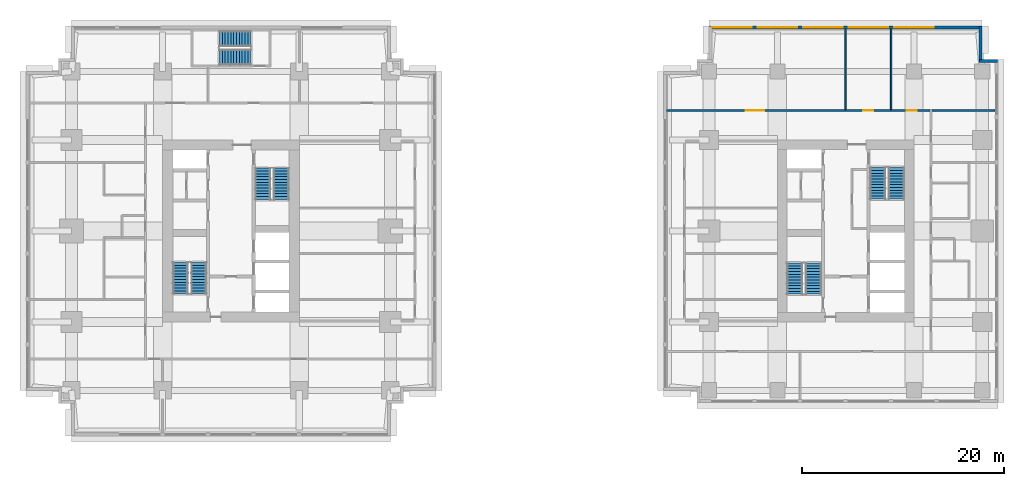
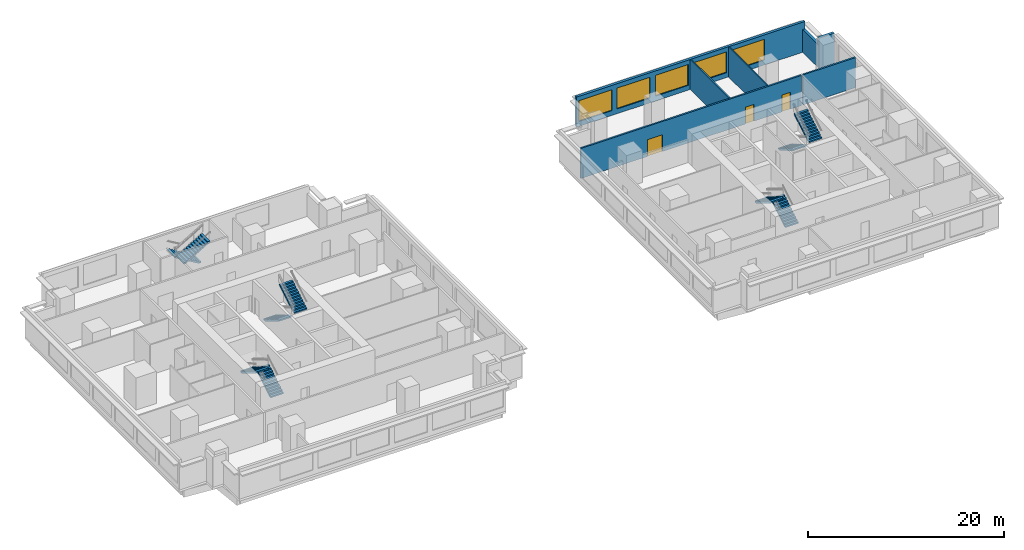
# One storey, part 8 of 10: 10 stair flights, 7 walls, 5 windows, 3 doors, 8 openings, 5 elements without a shape of their own.
"""IFC4 building model written with IfcOpenShell, lengths in metres."""

from ifc_helpers import new_model, si_unit, direction, frame, frame_2d, origin, place, context, subcontext, project, spatial, polyline, rectangle, outline, extrude, material, layer, layer_set, type_object, element, fill, aggregate, save


model = new_model("IFC4")

# Units and contexts
model_context = context("Model", 3, precision=1e-05, world=origin(), true_north=direction((0.0, 1.0)))
body_context = subcontext(model_context, "Body", "Model", "MODEL_VIEW")
ifc_project = project(units=[si_unit("LENGTHUNIT", "METRE"), si_unit("AREAUNIT", "SQUARE_METRE"), si_unit("VOLUMEUNIT", "CUBIC_METRE"), si_unit("PLANEANGLEUNIT", "RADIAN"), si_unit("MASSUNIT", "GRAM", prefix="KILO")], contexts=[model_context])

# Site, building, storey
site_placement = place(None, origin())
site = spatial("IfcSite", under=ifc_project, at=site_placement, CompositionType="ELEMENT")
building_placement = place(site_placement, origin())
building = spatial("IfcBuilding", under=site, at=building_placement, Name="Namib Vertical Campus", CompositionType="ELEMENT")
storey_placement = place(building_placement, frame((0.0, 0.0, 157.0)))
storey = spatial("IfcBuildingStorey", under=building, at=storey_placement, Name="L37", CompositionType="ELEMENT", Elevation=157.0)

# Wall, openings, doors
ifc_material_1 = material(Name="Concrete masonry", Category="masonry")
ifc_layer_1 = layer(ifc_material_1, 0.199951171875)
ifc_layer_set_1 = layer_set([ifc_layer_1], Name="Corridor wall 200")
wall_type_1 = type_object("IfcWallType", Name="Corridor wall 200", PredefinedType="SOLIDWALL", material=ifc_layer_set_1)
wall_1_placement = place(storey_placement, frame((89.35009765625, 32.14990234375, 0.0), z_axis=(0.0, 0.0, 1.0), x_axis=(-1.0, 0.0, 0.0)))
wall_1 = element("IfcWall", 1, at=wall_1_placement, inside=storey, type_object=wall_type_1, Name="Corridor wall B L37 CN", PredefinedType="SOLIDWALL", context=body_context, shape_type="SweptSolid", body=[
    extrude(rectangle(XDim=26.050048828125, YDim=0.199951171875, at=frame_2d((13.02490234375, 0.0))), origin(), (0.0, 0.0, 1.0), 3.75),
])
opening_1_placement = place(wall_1_placement, frame((16.39990234375, 0.0, 0.0)))
opening_1 = element("IfcOpeningElement", 2, at=opening_1_placement, cuts=wall_1, Name="Opening CD2", PredefinedType="OPENING", context=body_context, shape_type="SweptSolid", body=[
    extrude(rectangle(XDim=1.800048828125, YDim=2.10009765625, at=frame_2d((0.89990234375, 1.050048828125))), frame((0.0, 0.10986328125, 0.0), z_axis=(0.0, -1.0, 0.0), x_axis=(1.0, 0.0, 0.0)), (0.0, 0.0, 1.0), 0.219970703125),
])
opening_2_placement = place(wall_1_placement, frame((5.60009765625, 0.0, 0.0)))
opening_2 = element("IfcOpeningElement", 3, at=opening_2_placement, cuts=wall_1, Name="Opening CD1", PredefinedType="OPENING", context=body_context, shape_type="SweptSolid", body=[
    extrude(rectangle(XDim=1.0, YDim=2.10009765625, at=frame_2d((0.5, 1.050048828125))), frame((0.0, 0.10986328125, 0.0), z_axis=(0.0, -1.0, 0.0), x_axis=(1.0, 0.0, 0.0)), (0.0, 0.0, 1.0), 0.219970703125),
])
opening_3_placement = place(wall_1_placement, frame((1.324951171875, 0.0, 0.0)))
opening_3 = element("IfcOpeningElement", 4, at=opening_3_placement, cuts=wall_1, Name="Opening CD1", PredefinedType="OPENING", context=body_context, shape_type="SweptSolid", body=[
    extrude(rectangle(XDim=1.0, YDim=2.10009765625, at=frame_2d((0.5, 1.050048828125))), frame((0.0, 0.10986328125, 0.0), z_axis=(0.0, -1.0, 0.0), x_axis=(1.0, 0.0, 0.0)), (0.0, 0.0, 1.0), 0.219970703125),
])
ifc_material_2 = material(Name="Timber fire door leaf", Category="wood")
door_type_1 = type_object("IfcDoorType", Name="Corridor door 1000x2100 20 min", OperationType="SINGLE_SWING_LEFT", PredefinedType="DOOR", material=ifc_material_2)
door_1_placement = place(opening_2_placement, frame((1.0, 0.0, 0.0), z_axis=(0.0, 0.0, 1.0), x_axis=(-1.0, 0.0, 0.0)))
door_1 = element("IfcDoor", 5, at=door_1_placement, inside=storey, type_object=door_type_1, Name="Door CD1 B37-11", OperationType="SINGLE_SWING_RIGHT", OverallHeight=2.10009765625, OverallWidth=1.0, PredefinedType="DOOR", context=body_context, shape_type="SweptSolid", body=[
    extrude(rectangle(XDim=1.0, YDim=2.10009765625, at=frame_2d((0.5, 1.050048828125))), frame((0.0, 0.02490234375, 0.0), z_axis=(0.0, -1.0, 0.0), x_axis=(1.0, 0.0, 0.0)), (0.0, 0.0, 1.0), 0.050048828125),
])
fill(opening_2, door_1)
door_2_placement = place(opening_3_placement, frame((1.0, 0.0, 0.0), z_axis=(0.0, 0.0, 1.0), x_axis=(-1.0, 0.0, 0.0)))
door_2 = element("IfcDoor", 6, at=door_2_placement, inside=storey, type_object=door_type_1, Name="Door CD1 B37-12", OperationType="SINGLE_SWING_LEFT", OverallHeight=2.10009765625, OverallWidth=1.0, PredefinedType="DOOR", context=body_context, shape_type="SweptSolid", body=[
    extrude(rectangle(XDim=1.0, YDim=2.10009765625, at=frame_2d((0.5, 1.050048828125))), frame((0.0, 0.02490234375, 0.0), z_axis=(0.0, -1.0, 0.0), x_axis=(1.0, 0.0, 0.0)), (0.0, 0.0, 1.0), 0.050048828125),
])
fill(opening_3, door_2)
ifc_material_3 = material(Name="Timber fire door leaf", Category="wood")
door_type_2 = type_object("IfcDoorType", Name="Corridor door double 1800x2100 20 min", OperationType="DOUBLE_DOOR_SINGLE_SWING", PredefinedType="DOOR", material=ifc_material_3)
door_3_placement = place(opening_1_placement, frame((1.800048828125, 0.0, 0.0), z_axis=(0.0, 0.0, 1.0), x_axis=(-1.0, 0.0, 0.0)))
door_3 = element("IfcDoor", 7, at=door_3_placement, inside=storey, type_object=door_type_2, Name="Door CD2 B37-10", OperationType="DOUBLE_DOOR_SINGLE_SWING", OverallHeight=2.10009765625, OverallWidth=1.800048828125, PredefinedType="DOOR", context=body_context, shape_type="SweptSolid", body=[
    extrude(rectangle(XDim=1.800048828125, YDim=2.10009765625, at=frame_2d((0.89990234375, 1.050048828125))), frame((0.0, 0.02490234375, 0.0), z_axis=(0.0, -1.0, 0.0), x_axis=(1.0, 0.0, 0.0)), (0.0, 0.0, 1.0), 0.050048828125),
])
fill(opening_1, door_3)

# Walls
wall_2_placement = place(storey_placement, frame((89.550048828125, 32.14990234375, 0.0), z_axis=(0.0, 0.0, 1.0), x_axis=(1.0, 0.0, 0.0)))
element("IfcWall", 8, at=wall_2_placement, inside=storey, type_object=wall_type_1, Name="Partition B L37 BNE", PredefinedType="SOLIDWALL", context=body_context, shape_type="SweptSolid", body=[
    extrude(rectangle(XDim=6.199951171875, YDim=0.199951171875, at=frame_2d((3.10009765625, 0.0))), origin(), (0.0, 0.0, 1.0), 3.75),
])
ifc_material_4 = material(Name="Concrete C40/50", Category="concrete")
ifc_layer_2 = layer(ifc_material_4, 0.300048828125)
ifc_layer_set_2 = layer_set([ifc_layer_2], Name="Concrete C40/50")
wall_type_2 = type_object("IfcWallType", Name="External wall 300 board-marked concrete", PredefinedType="STANDARD", material=ifc_layer_set_2)
wall_3_placement = place(storey_placement, frame((96.030029296875, 37.050048828125, 0.0), z_axis=(0.0, 0.0, 1.0), x_axis=(-1.0, 0.0, 0.0)))
element("IfcWall", 9, at=wall_3_placement, inside=storey, type_object=wall_type_2, Name="External wall L37 F05", PredefinedType="STANDARD", context=body_context, shape_type="SweptSolid", body=[
    extrude(rectangle(XDim=1.81005859375, YDim=0.300048828125, at=frame_2d((0.905029296875, 0.0))), origin(), (0.0, 0.0, 1.0), 3.75),
])
wall_4_placement = place(storey_placement, frame((94.35009765625, 36.919921875, 0.0), z_axis=(0.0, 0.0, 1.0), x_axis=(0.0, 1.0, 0.0)))
element("IfcWall", 10, at=wall_4_placement, inside=storey, type_object=wall_type_2, Name="External wall L37 F06", PredefinedType="STANDARD", context=body_context, shape_type="SweptSolid", body=[
    extrude(rectangle(XDim=3.56005859375, YDim=0.300048828125, at=frame_2d((1.780029296875, 0.0))), origin(), (0.0, 0.0, 1.0), 2.85009765625),
])

# Wall, openings, windows
wall_5_placement = place(storey_placement, frame((94.47998046875, 40.35009765625, 0.0), z_axis=(0.0, 0.0, 1.0), x_axis=(-1.0, 0.0, 0.0)))
wall_5 = element("IfcWall", 11, at=wall_5_placement, inside=storey, type_object=wall_type_2, Name="External wall L37 F07", PredefinedType="STANDARD", context=body_context, shape_type="SweptSolid", body=[
    extrude(rectangle(XDim=26.9599609375, YDim=0.300048828125, at=frame_2d((13.47998046875, 0.0))), origin(), (0.0, 0.0, 1.0), 3.75),
])
opening_4_placement = place(wall_5_placement, frame((22.780029296875, 0.0, 0.60009765625)))
opening_4 = element("IfcOpeningElement", 12, at=opening_4_placement, cuts=wall_5, Name="Opening W2", PredefinedType="OPENING", context=body_context, shape_type="SweptSolid", body=[
    extrude(rectangle(XDim=3.89990234375, YDim=2.60009765625, at=frame_2d((1.949951171875, 1.300048828125))), frame((0.0, 0.159912109375, 0.0), z_axis=(0.0, -1.0, 0.0), x_axis=(1.0, 0.0, 0.0)), (0.0, 0.0, 1.0), 0.320068359375),
])
opening_5_placement = place(wall_5_placement, frame((18.280029296875, 0.0, 0.60009765625)))
opening_5 = element("IfcOpeningElement", 13, at=opening_5_placement, cuts=wall_5, Name="Opening W2", PredefinedType="OPENING", context=body_context, shape_type="SweptSolid", body=[
    extrude(rectangle(XDim=3.89990234375, YDim=2.60009765625, at=frame_2d((1.949951171875, 1.300048828125))), frame((0.0, 0.159912109375, 0.0), z_axis=(0.0, -1.0, 0.0), x_axis=(1.0, 0.0, 0.0)), (0.0, 0.0, 1.0), 0.320068359375),
])
opening_6_placement = place(wall_5_placement, frame((13.780029296875, 0.0, 0.60009765625)))
opening_6 = element("IfcOpeningElement", 14, at=opening_6_placement, cuts=wall_5, Name="Opening W2", PredefinedType="OPENING", context=body_context, shape_type="SweptSolid", body=[
    extrude(rectangle(XDim=3.89990234375, YDim=2.60009765625, at=frame_2d((1.949951171875, 1.300048828125))), frame((0.0, 0.159912109375, 0.0), z_axis=(0.0, -1.0, 0.0), x_axis=(1.0, 0.0, 0.0)), (0.0, 0.0, 1.0), 0.320068359375),
])
opening_7_placement = place(wall_5_placement, frame((9.280029296875, 0.0, 0.60009765625)))
opening_7 = element("IfcOpeningElement", 15, at=opening_7_placement, cuts=wall_5, Name="Opening W2", PredefinedType="OPENING", context=body_context, shape_type="SweptSolid", body=[
    extrude(rectangle(XDim=3.89990234375, YDim=2.60009765625, at=frame_2d((1.949951171875, 1.300048828125))), frame((0.0, 0.159912109375, 0.0), z_axis=(0.0, -1.0, 0.0), x_axis=(1.0, 0.0, 0.0)), (0.0, 0.0, 1.0), 0.320068359375),
])
opening_8_placement = place(wall_5_placement, frame((4.780029296875, 0.0, 0.60009765625)))
opening_8 = element("IfcOpeningElement", 16, at=opening_8_placement, cuts=wall_5, Name="Opening W2", PredefinedType="OPENING", context=body_context, shape_type="SweptSolid", body=[
    extrude(rectangle(XDim=3.89990234375, YDim=2.60009765625, at=frame_2d((1.949951171875, 1.300048828125))), frame((0.0, 0.159912109375, 0.0), z_axis=(0.0, -1.0, 0.0), x_axis=(1.0, 0.0, 0.0)), (0.0, 0.0, 1.0), 0.320068359375),
])
ifc_material_5 = material(Name="Dark tinted glass in black aluminium frame", Category="aluminium")
window_type = type_object("IfcWindowType", Name="Ribbon window 3900x2600", PartitioningType="SINGLE_PANEL", PredefinedType="WINDOW", material=ifc_material_5)
window_1_placement = place(opening_4_placement, origin())
window_1 = element("IfcWindow", 17, at=window_1_placement, inside=storey, type_object=window_type, Name="Window W2 L37 F07-1", OverallHeight=2.60009765625, OverallWidth=3.89990234375, PartitioningType="SINGLE_PANEL", PredefinedType="WINDOW", context=body_context, shape_type="SweptSolid", body=[
    extrude(rectangle(XDim=3.89990234375, YDim=2.60009765625, at=frame_2d((1.949951171875, 1.300048828125))), frame((0.0, 0.030029296875, 0.0), z_axis=(0.0, -1.0, 0.0), x_axis=(1.0, 0.0, 0.0)), (0.0, 0.0, 1.0), 0.06005859375),
])
fill(opening_4, window_1)
window_2_placement = place(opening_5_placement, origin())
window_2 = element("IfcWindow", 18, at=window_2_placement, inside=storey, type_object=window_type, Name="Window W2 L37 F07-2", OverallHeight=2.60009765625, OverallWidth=3.89990234375, PartitioningType="SINGLE_PANEL", PredefinedType="WINDOW", context=body_context, shape_type="SweptSolid", body=[
    extrude(rectangle(XDim=3.89990234375, YDim=2.60009765625, at=frame_2d((1.949951171875, 1.300048828125))), frame((0.0, 0.030029296875, 0.0), z_axis=(0.0, -1.0, 0.0), x_axis=(1.0, 0.0, 0.0)), (0.0, 0.0, 1.0), 0.06005859375),
])
fill(opening_5, window_2)
window_3_placement = place(opening_6_placement, origin())
window_3 = element("IfcWindow", 19, at=window_3_placement, inside=storey, type_object=window_type, Name="Window W2 L37 F07-3", OverallHeight=2.60009765625, OverallWidth=3.89990234375, PartitioningType="SINGLE_PANEL", PredefinedType="WINDOW", context=body_context, shape_type="SweptSolid", body=[
    extrude(rectangle(XDim=3.89990234375, YDim=2.60009765625, at=frame_2d((1.949951171875, 1.300048828125))), frame((0.0, 0.030029296875, 0.0), z_axis=(0.0, -1.0, 0.0), x_axis=(1.0, 0.0, 0.0)), (0.0, 0.0, 1.0), 0.06005859375),
])
fill(opening_6, window_3)
window_4_placement = place(opening_7_placement, origin())
window_4 = element("IfcWindow", 20, at=window_4_placement, inside=storey, type_object=window_type, Name="Window W2 L37 F07-4", OverallHeight=2.60009765625, OverallWidth=3.89990234375, PartitioningType="SINGLE_PANEL", PredefinedType="WINDOW", context=body_context, shape_type="SweptSolid", body=[
    extrude(rectangle(XDim=3.89990234375, YDim=2.60009765625, at=frame_2d((1.949951171875, 1.300048828125))), frame((0.0, 0.030029296875, 0.0), z_axis=(0.0, -1.0, 0.0), x_axis=(1.0, 0.0, 0.0)), (0.0, 0.0, 1.0), 0.06005859375),
])
fill(opening_7, window_4)
window_5_placement = place(opening_8_placement, origin())
window_5 = element("IfcWindow", 21, at=window_5_placement, inside=storey, type_object=window_type, Name="Window W2 L37 F07-5", OverallHeight=2.60009765625, OverallWidth=3.89990234375, PartitioningType="SINGLE_PANEL", PredefinedType="WINDOW", context=body_context, shape_type="SweptSolid", body=[
    extrude(rectangle(XDim=3.89990234375, YDim=2.60009765625, at=frame_2d((1.949951171875, 1.300048828125))), frame((0.0, 0.030029296875, 0.0), z_axis=(0.0, -1.0, 0.0), x_axis=(1.0, 0.0, 0.0)), (0.0, 0.0, 1.0), 0.06005859375),
])
fill(opening_8, window_5)

# Walls
ifc_material_6 = material(Name="Gypsum board on steel studs", Category="steel")
ifc_layer_3 = layer(ifc_material_6, 0.14990234375)
ifc_layer_set_3 = layer_set([ifc_layer_3], Name="Gypsum board on steel studs")
wall_type_3 = type_object("IfcWallType", Name="Partition 150", PredefinedType="PARTITIONING", material=ifc_layer_set_3)
for number, where, z_axis, x_axis, name in (
    (22, (81.0, 32.25, 0.0), (0.0, 0.0, 1.0), (0.0, 1.0, 0.0), "Partition B L37 PN1"),
    (23, (85.5, 32.25, 0.0), (0.0, 0.0, 1.0), (0.0, 1.0, 0.0), "Partition B L37 PN2"),
):
    element("IfcWall", number, at=place(storey_placement, frame(where, z_axis=z_axis, x_axis=x_axis)), inside=storey, type_object=wall_type_3, Name=name, PredefinedType="PARTITIONING", context=body_context, shape_type="SweptSolid", body=[
        extrude(rectangle(XDim=7.949951171875, YDim=0.14990234375, at=frame_2d((3.97509765625, 0.0))), origin(), (0.0, 0.0, 1.0), 3.75),
    ])

# Stair, stair flights
ifc_material_7 = material(Name="Concrete C40/50 precast", Category="concrete")
stair_type_1 = type_object("IfcStairType", Name="Exit stair 4000 rise 24 risers 3350 wide", PredefinedType="HALF_TURN_STAIR", material=ifc_material_7)
stair_1_placement = place(storey_placement, origin())
stair_1 = element("IfcStair", 24, at=stair_1_placement, inside=storey, type_object=stair_type_1, Name="Exit stair A-S1 L37", PredefinedType="HALF_TURN_STAIR")
ifc_material_8 = material(Name="Concrete C40/50 precast", Category="concrete")
stair_flight_type_1 = type_object("IfcStairFlightType", Name="Stair flight 12 risers 167 1525 wide", PredefinedType="STRAIGHT", material=ifc_material_8)
stair_flight_1_placement = place(storey_placement, frame((17.08740234375, 14.050048828125, 0.0), z_axis=(0.0, 0.0, 1.0), x_axis=(0.0, 1.0, 0.0)))
stair_flight_1 = element("IfcStairFlight", 25, at=stair_flight_1_placement, type_object=stair_flight_type_1, Name="A-S1 flight 1", NumberOfRisers=12, NumberOfTreads=11, PredefinedType="STRAIGHT", RiserHeight=0.166666667, TreadLength=0.28, context=body_context, shape_type="SweptSolid", body=[
    extrude(outline(polyline([(0.0, 0.0), (0.0, 0.166748046875), (0.280029296875, 0.166748046875), (0.280029296875, 0.333251953125), (0.56005859375, 0.333251953125), (0.56005859375, 0.5), (0.840087890625, 0.5), (0.840087890625, 0.666748046875), (1.1201171875, 0.666748046875), (1.1201171875, 0.833251953125), (1.39990234375, 0.833251953125), (1.39990234375, 1.0), (1.679931640625, 1.0), (1.679931640625, 1.166748046875), (1.9599609375, 1.166748046875), (1.9599609375, 1.333251953125), (2.239990234375, 1.333251953125), (2.239990234375, 1.5), (2.52001953125, 1.5), (2.52001953125, 1.666748046875), (2.800048828125, 1.666748046875), (2.800048828125, 1.833251953125), (3.080078125, 1.833251953125), (3.080078125, 2.0), (3.080078125, 1.658935546875), (0.29296875, 0.0), (0.0, 0.0)])), frame((0.0, 0.762451171875, 0.0), z_axis=(0.0, -1.0, 0.0), x_axis=(1.0, 0.0, 0.0)), (0.0, 0.0, 1.0), 1.52490234375),
])
stair_flight_2_placement = place(storey_placement, frame((15.262451171875, 17.1298828125, 2.0), z_axis=(0.0, 0.0, 1.0), x_axis=(0.0, -1.0, 0.0)))
stair_flight_2 = element("IfcStairFlight", 26, at=stair_flight_2_placement, type_object=stair_flight_type_1, Name="A-S1 flight 2", NumberOfRisers=12, NumberOfTreads=11, PredefinedType="STRAIGHT", RiserHeight=0.166666667, TreadLength=0.28, context=body_context, shape_type="SweptSolid", body=[
    extrude(outline(polyline([(0.0, 0.0), (0.0, 0.166748046875), (0.280029296875, 0.166748046875), (0.280029296875, 0.333251953125), (0.56005859375, 0.333251953125), (0.56005859375, 0.5), (0.840087890625, 0.5), (0.840087890625, 0.666748046875), (1.1201171875, 0.666748046875), (1.1201171875, 0.833251953125), (1.39990234375, 0.833251953125), (1.39990234375, 1.0), (1.679931640625, 1.0), (1.679931640625, 1.166748046875), (1.9599609375, 1.166748046875), (1.9599609375, 1.333251953125), (2.239990234375, 1.333251953125), (2.239990234375, 1.5), (2.52001953125, 1.5), (2.52001953125, 1.666748046875), (2.800048828125, 1.666748046875), (2.800048828125, 1.833251953125), (3.080078125, 1.833251953125), (3.080078125, 2.0), (3.080078125, 1.658935546875), (0.29296875, 0.0), (0.0, 0.0)])), frame((0.0, 0.762451171875, 0.0), z_axis=(0.0, -1.0, 0.0), x_axis=(1.0, 0.0, 0.0)), (0.0, 0.0, 1.0), 1.52490234375),
])
aggregate(stair_1, [stair_flight_1, stair_flight_2])

stair_2_placement = place(storey_placement, origin())
stair_2 = element("IfcStair", 27, at=stair_2_placement, inside=storey, type_object=stair_type_1, Name="Exit stair A-S2 L37", PredefinedType="HALF_TURN_STAIR")
stair_flight_3_placement = place(storey_placement, frame((23.41259765625, 26.449951171875, 0.0), z_axis=(0.0, 0.0, 1.0), x_axis=(0.0, -1.0, 0.0)))
stair_flight_3 = element("IfcStairFlight", 28, at=stair_flight_3_placement, type_object=stair_flight_type_1, Name="A-S2 flight 1", NumberOfRisers=12, NumberOfTreads=11, PredefinedType="STRAIGHT", RiserHeight=0.166666667, TreadLength=0.28, context=body_context, shape_type="SweptSolid", body=[
    extrude(outline(polyline([(0.0, 0.0), (0.0, 0.166748046875), (0.280029296875, 0.166748046875), (0.280029296875, 0.333251953125), (0.56005859375, 0.333251953125), (0.56005859375, 0.5), (0.840087890625, 0.5), (0.840087890625, 0.666748046875), (1.1201171875, 0.666748046875), (1.1201171875, 0.833251953125), (1.39990234375, 0.833251953125), (1.39990234375, 1.0), (1.679931640625, 1.0), (1.679931640625, 1.166748046875), (1.9599609375, 1.166748046875), (1.9599609375, 1.333251953125), (2.239990234375, 1.333251953125), (2.239990234375, 1.5), (2.52001953125, 1.5), (2.52001953125, 1.666748046875), (2.800048828125, 1.666748046875), (2.800048828125, 1.833251953125), (3.080078125, 1.833251953125), (3.080078125, 2.0), (3.080078125, 1.658935546875), (0.29296875, 0.0), (0.0, 0.0)])), frame((0.0, 0.762451171875, 0.0), z_axis=(0.0, -1.0, 0.0), x_axis=(1.0, 0.0, 0.0)), (0.0, 0.0, 1.0), 1.52490234375),
])
stair_flight_4_placement = place(storey_placement, frame((25.237548828125, 23.3701171875, 2.0), z_axis=(0.0, 0.0, 1.0), x_axis=(0.0, 1.0, 0.0)))
stair_flight_4 = element("IfcStairFlight", 29, at=stair_flight_4_placement, type_object=stair_flight_type_1, Name="A-S2 flight 2", NumberOfRisers=12, NumberOfTreads=11, PredefinedType="STRAIGHT", RiserHeight=0.166666667, TreadLength=0.28, context=body_context, shape_type="SweptSolid", body=[
    extrude(outline(polyline([(0.0, 0.0), (0.0, 0.166748046875), (0.280029296875, 0.166748046875), (0.280029296875, 0.333251953125), (0.56005859375, 0.333251953125), (0.56005859375, 0.5), (0.840087890625, 0.5), (0.840087890625, 0.666748046875), (1.1201171875, 0.666748046875), (1.1201171875, 0.833251953125), (1.39990234375, 0.833251953125), (1.39990234375, 1.0), (1.679931640625, 1.0), (1.679931640625, 1.166748046875), (1.9599609375, 1.166748046875), (1.9599609375, 1.333251953125), (2.239990234375, 1.333251953125), (2.239990234375, 1.5), (2.52001953125, 1.5), (2.52001953125, 1.666748046875), (2.800048828125, 1.666748046875), (2.800048828125, 1.833251953125), (3.080078125, 1.833251953125), (3.080078125, 2.0), (3.080078125, 1.658935546875), (0.29296875, 0.0), (0.0, 0.0)])), frame((0.0, 0.762451171875, 0.0), z_axis=(0.0, -1.0, 0.0), x_axis=(1.0, 0.0, 0.0)), (0.0, 0.0, 1.0), 1.52490234375),
])
aggregate(stair_2, [stair_flight_3, stair_flight_4])

stair_3_placement = place(storey_placement, origin())
stair_3 = element("IfcStair", 30, at=stair_3_placement, inside=storey, type_object=stair_type_1, Name="Exit stair A-S3 L37", PredefinedType="HALF_TURN_STAIR")
stair_flight_5_placement = place(storey_placement, frame((22.199951171875, 39.237548828125, 0.0), z_axis=(0.0, 0.0, 1.0), x_axis=(-1.0, 0.0, 0.0)))
stair_flight_5 = element("IfcStairFlight", 31, at=stair_flight_5_placement, type_object=stair_flight_type_1, Name="A-S3 flight 1", NumberOfRisers=12, NumberOfTreads=11, PredefinedType="STRAIGHT", RiserHeight=0.166666667, TreadLength=0.28, context=body_context, shape_type="SweptSolid", body=[
    extrude(outline(polyline([(0.0, 0.0), (0.0, 0.166748046875), (0.280029296875, 0.166748046875), (0.280029296875, 0.333251953125), (0.56005859375, 0.333251953125), (0.56005859375, 0.5), (0.840087890625, 0.5), (0.840087890625, 0.666748046875), (1.1201171875, 0.666748046875), (1.1201171875, 0.833251953125), (1.39990234375, 0.833251953125), (1.39990234375, 1.0), (1.679931640625, 1.0), (1.679931640625, 1.166748046875), (1.9599609375, 1.166748046875), (1.9599609375, 1.333251953125), (2.239990234375, 1.333251953125), (2.239990234375, 1.5), (2.52001953125, 1.5), (2.52001953125, 1.666748046875), (2.800048828125, 1.666748046875), (2.800048828125, 1.833251953125), (3.080078125, 1.833251953125), (3.080078125, 2.0), (3.080078125, 1.658935546875), (0.29296875, 0.0), (0.0, 0.0)])), frame((0.0, 0.762451171875, 0.0), z_axis=(0.0, -1.0, 0.0), x_axis=(1.0, 0.0, 0.0)), (0.0, 0.0, 1.0), 1.52490234375),
])
stair_flight_6_placement = place(storey_placement, frame((19.1201171875, 37.41259765625, 2.0), z_axis=(0.0, 0.0, 1.0), x_axis=(1.0, 0.0, 0.0)))
stair_flight_6 = element("IfcStairFlight", 32, at=stair_flight_6_placement, type_object=stair_flight_type_1, Name="A-S3 flight 2", NumberOfRisers=12, NumberOfTreads=11, PredefinedType="STRAIGHT", RiserHeight=0.166666667, TreadLength=0.28, context=body_context, shape_type="SweptSolid", body=[
    extrude(outline(polyline([(0.0, 0.0), (0.0, 0.166748046875), (0.280029296875, 0.166748046875), (0.280029296875, 0.333251953125), (0.56005859375, 0.333251953125), (0.56005859375, 0.5), (0.840087890625, 0.5), (0.840087890625, 0.666748046875), (1.1201171875, 0.666748046875), (1.1201171875, 0.833251953125), (1.39990234375, 0.833251953125), (1.39990234375, 1.0), (1.679931640625, 1.0), (1.679931640625, 1.166748046875), (1.9599609375, 1.166748046875), (1.9599609375, 1.333251953125), (2.239990234375, 1.333251953125), (2.239990234375, 1.5), (2.52001953125, 1.5), (2.52001953125, 1.666748046875), (2.800048828125, 1.666748046875), (2.800048828125, 1.833251953125), (3.080078125, 1.833251953125), (3.080078125, 2.0), (3.080078125, 1.658935546875), (0.29296875, 0.0), (0.0, 0.0)])), frame((0.0, 0.762451171875, 0.0), z_axis=(0.0, -1.0, 0.0), x_axis=(1.0, 0.0, 0.0)), (0.0, 0.0, 1.0), 1.52490234375),
])
aggregate(stair_3, [stair_flight_5, stair_flight_6])

ifc_material_9 = material(Name="Concrete C40/50 precast", Category="concrete")
stair_type_2 = type_object("IfcStairType", Name="Exit stair 4000 rise 24 risers 3400 wide", PredefinedType="HALF_TURN_STAIR", material=ifc_material_9)
stair_4_placement = place(storey_placement, origin())
stair_4 = element("IfcStair", 33, at=stair_4_placement, inside=storey, type_object=stair_type_2, Name="Exit stair B-S1 L37", PredefinedType="HALF_TURN_STAIR")
ifc_material_10 = material(Name="Concrete C40/50 precast", Category="concrete")
stair_flight_type_2 = type_object("IfcStairFlightType", Name="Stair flight 12 risers 167 1550 wide", PredefinedType="STRAIGHT", material=ifc_material_10)
stair_flight_7_placement = place(storey_placement, frame((77.824951171875, 14.0, 0.0), z_axis=(0.0, 0.0, 1.0), x_axis=(0.0, 1.0, 0.0)))
stair_flight_7 = element("IfcStairFlight", 34, at=stair_flight_7_placement, type_object=stair_flight_type_2, Name="B-S1 flight 1", NumberOfRisers=12, NumberOfTreads=11, PredefinedType="STRAIGHT", RiserHeight=0.166666667, TreadLength=0.28, context=body_context, shape_type="SweptSolid", body=[
    extrude(outline(polyline([(0.0, 0.0), (0.0, 0.166748046875), (0.280029296875, 0.166748046875), (0.280029296875, 0.333251953125), (0.56005859375, 0.333251953125), (0.56005859375, 0.5), (0.840087890625, 0.5), (0.840087890625, 0.666748046875), (1.1201171875, 0.666748046875), (1.1201171875, 0.833251953125), (1.39990234375, 0.833251953125), (1.39990234375, 1.0), (1.679931640625, 1.0), (1.679931640625, 1.166748046875), (1.9599609375, 1.166748046875), (1.9599609375, 1.333251953125), (2.239990234375, 1.333251953125), (2.239990234375, 1.5), (2.52001953125, 1.5), (2.52001953125, 1.666748046875), (2.800048828125, 1.666748046875), (2.800048828125, 1.833251953125), (3.080078125, 1.833251953125), (3.080078125, 2.0), (3.080078125, 1.658935546875), (0.29296875, 0.0), (0.0, 0.0)])), frame((0.0, 0.77490234375, 0.0), z_axis=(0.0, -1.0, 0.0), x_axis=(1.0, 0.0, 0.0)), (0.0, 0.0, 1.0), 1.550048828125),
])
stair_flight_8_placement = place(storey_placement, frame((75.97509765625, 17.080078125, 2.0), z_axis=(0.0, 0.0, 1.0), x_axis=(0.0, -1.0, 0.0)))
stair_flight_8 = element("IfcStairFlight", 35, at=stair_flight_8_placement, type_object=stair_flight_type_2, Name="B-S1 flight 2", NumberOfRisers=12, NumberOfTreads=11, PredefinedType="STRAIGHT", RiserHeight=0.166666667, TreadLength=0.28, context=body_context, shape_type="SweptSolid", body=[
    extrude(outline(polyline([(0.0, 0.0), (0.0, 0.166748046875), (0.280029296875, 0.166748046875), (0.280029296875, 0.333251953125), (0.56005859375, 0.333251953125), (0.56005859375, 0.5), (0.840087890625, 0.5), (0.840087890625, 0.666748046875), (1.1201171875, 0.666748046875), (1.1201171875, 0.833251953125), (1.39990234375, 0.833251953125), (1.39990234375, 1.0), (1.679931640625, 1.0), (1.679931640625, 1.166748046875), (1.9599609375, 1.166748046875), (1.9599609375, 1.333251953125), (2.239990234375, 1.333251953125), (2.239990234375, 1.5), (2.52001953125, 1.5), (2.52001953125, 1.666748046875), (2.800048828125, 1.666748046875), (2.800048828125, 1.833251953125), (3.080078125, 1.833251953125), (3.080078125, 2.0), (3.080078125, 1.658935546875), (0.29296875, 0.0), (0.0, 0.0)])), frame((0.0, 0.77490234375, 0.0), z_axis=(0.0, -1.0, 0.0), x_axis=(1.0, 0.0, 0.0)), (0.0, 0.0, 1.0), 1.550048828125),
])
aggregate(stair_4, [stair_flight_7, stair_flight_8])

stair_5_placement = place(storey_placement, origin())
stair_5 = element("IfcStair", 36, at=stair_5_placement, inside=storey, type_object=stair_type_2, Name="Exit stair B-S2 L37", PredefinedType="HALF_TURN_STAIR")
stair_flight_9_placement = place(storey_placement, frame((84.175048828125, 26.5, 0.0), z_axis=(0.0, 0.0, 1.0), x_axis=(0.0, -1.0, 0.0)))
stair_flight_9 = element("IfcStairFlight", 37, at=stair_flight_9_placement, type_object=stair_flight_type_2, Name="B-S2 flight 1", NumberOfRisers=12, NumberOfTreads=11, PredefinedType="STRAIGHT", RiserHeight=0.166666667, TreadLength=0.28, context=body_context, shape_type="SweptSolid", body=[
    extrude(outline(polyline([(0.0, 0.0), (0.0, 0.166748046875), (0.280029296875, 0.166748046875), (0.280029296875, 0.333251953125), (0.56005859375, 0.333251953125), (0.56005859375, 0.5), (0.840087890625, 0.5), (0.840087890625, 0.666748046875), (1.1201171875, 0.666748046875), (1.1201171875, 0.833251953125), (1.39990234375, 0.833251953125), (1.39990234375, 1.0), (1.679931640625, 1.0), (1.679931640625, 1.166748046875), (1.9599609375, 1.166748046875), (1.9599609375, 1.333251953125), (2.239990234375, 1.333251953125), (2.239990234375, 1.5), (2.52001953125, 1.5), (2.52001953125, 1.666748046875), (2.800048828125, 1.666748046875), (2.800048828125, 1.833251953125), (3.080078125, 1.833251953125), (3.080078125, 2.0), (3.080078125, 1.658935546875), (0.29296875, 0.0), (0.0, 0.0)])), frame((0.0, 0.77490234375, 0.0), z_axis=(0.0, -1.0, 0.0), x_axis=(1.0, 0.0, 0.0)), (0.0, 0.0, 1.0), 1.550048828125),
])
stair_flight_10_placement = place(storey_placement, frame((86.02490234375, 23.419921875, 2.0), z_axis=(0.0, 0.0, 1.0), x_axis=(0.0, 1.0, 0.0)))
stair_flight_10 = element("IfcStairFlight", 38, at=stair_flight_10_placement, type_object=stair_flight_type_2, Name="B-S2 flight 2", NumberOfRisers=12, NumberOfTreads=11, PredefinedType="STRAIGHT", RiserHeight=0.166666667, TreadLength=0.28, context=body_context, shape_type="SweptSolid", body=[
    extrude(outline(polyline([(0.0, 0.0), (0.0, 0.166748046875), (0.280029296875, 0.166748046875), (0.280029296875, 0.333251953125), (0.56005859375, 0.333251953125), (0.56005859375, 0.5), (0.840087890625, 0.5), (0.840087890625, 0.666748046875), (1.1201171875, 0.666748046875), (1.1201171875, 0.833251953125), (1.39990234375, 0.833251953125), (1.39990234375, 1.0), (1.679931640625, 1.0), (1.679931640625, 1.166748046875), (1.9599609375, 1.166748046875), (1.9599609375, 1.333251953125), (2.239990234375, 1.333251953125), (2.239990234375, 1.5), (2.52001953125, 1.5), (2.52001953125, 1.666748046875), (2.800048828125, 1.666748046875), (2.800048828125, 1.833251953125), (3.080078125, 1.833251953125), (3.080078125, 2.0), (3.080078125, 1.658935546875), (0.29296875, 0.0), (0.0, 0.0)])), frame((0.0, 0.77490234375, 0.0), z_axis=(0.0, -1.0, 0.0), x_axis=(1.0, 0.0, 0.0)), (0.0, 0.0, 1.0), 1.550048828125),
])
aggregate(stair_5, [stair_flight_9, stair_flight_10])

save(model, "model.ifc")
